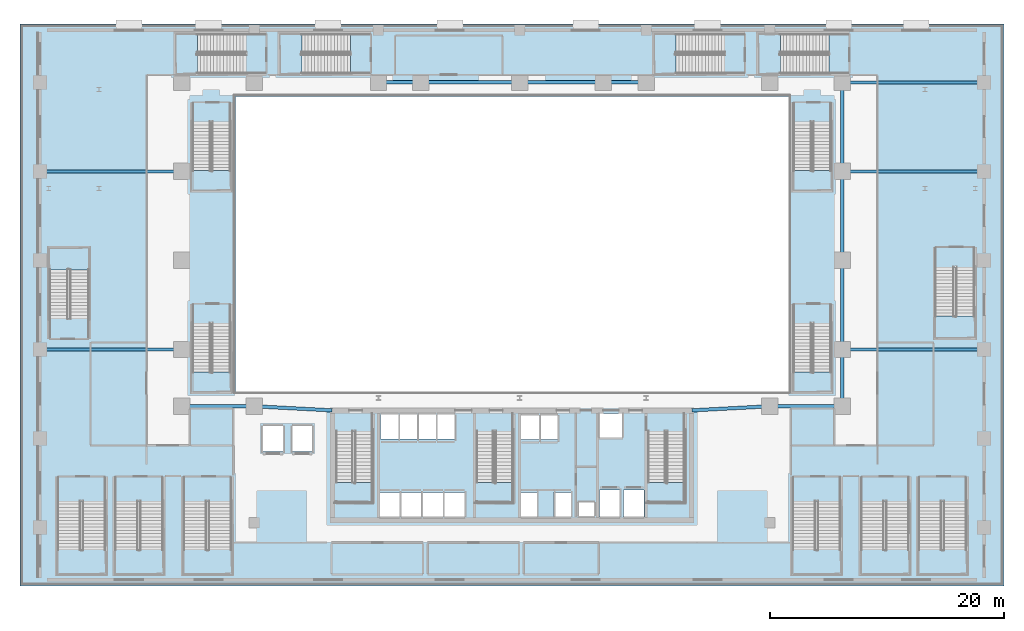
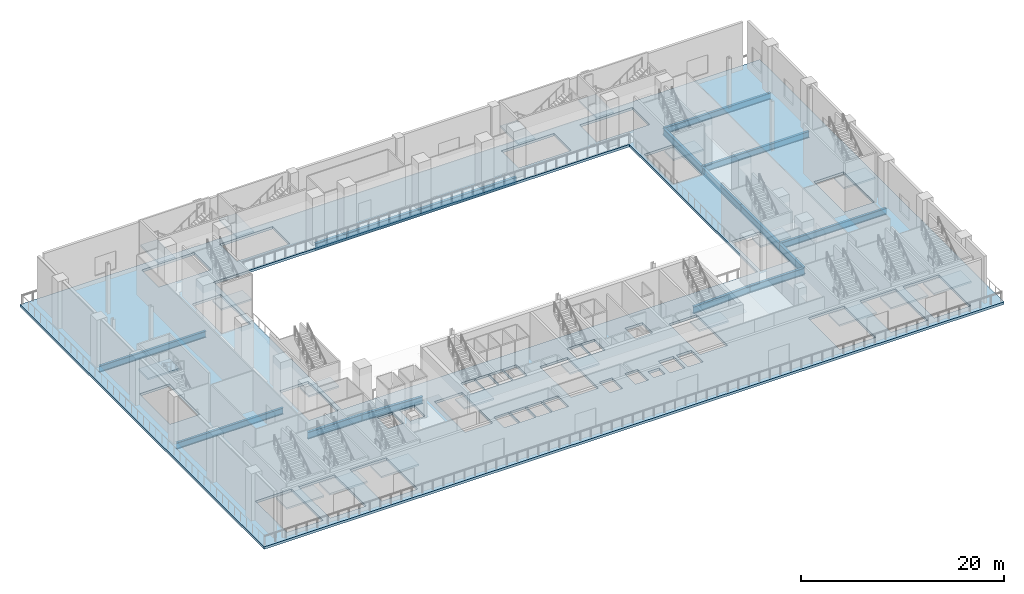
# One storey, part 5 of 29: 20 slabs, 17 beams, 19 elements without a shape of their own.
"""IFC4 building model written with IfcOpenShell, lengths in metres."""

from ifc_helpers import new_model, si_unit, direction, frame, origin, origin_2d, place, context, subcontext, project, spatial, polyline, i_section, outline, extrude, material, layer, layer_set, material_profile, profile_set, type_object, element, aggregate, save


model = new_model("IFC4")

# Units and contexts
model_context = context("Model", 3, precision=1e-05, world=origin(), true_north=direction((0.0, 1.0)))
body_context = subcontext(model_context, "Body", "Model", "MODEL_VIEW")
ifc_project = project(units=[si_unit("LENGTHUNIT", "METRE"), si_unit("AREAUNIT", "SQUARE_METRE"), si_unit("VOLUMEUNIT", "CUBIC_METRE"), si_unit("PLANEANGLEUNIT", "RADIAN"), si_unit("MASSUNIT", "GRAM", prefix="KILO")], contexts=[model_context])

# Site, building, storey
site_placement = place(None, origin())
site = spatial("IfcSite", under=ifc_project, at=site_placement, CompositionType="ELEMENT")
building_placement = place(site_placement, origin())
building = spatial("IfcBuilding", under=site, at=building_placement, Name="Ndaravel Arena Tower", CompositionType="ELEMENT")
storey_placement = place(building_placement, frame((0.0, 0.0, 12.0)))
storey = spatial("IfcBuildingStorey", under=building, at=storey_placement, Name="L02", CompositionType="ELEMENT", Elevation=12.0)

# Beams
ifc_material_1 = material(Name="Steel S355", Category="steel")
ifc_material_profile_1 = material_profile(ifc_material_1, i_section(OverallWidth=0.26806640625, OverallDepth=0.769775390625, WebThickness=0.015625, FlangeThickness=0.025390625, FilletRadius=0.0166015625, at=origin_2d()), Name="UB 762x267x197")
ifc_profile_set_1 = profile_set([ifc_material_profile_1], Name="Steel S355")
beam_type_1 = type_object("IfcBeamType", Name="BM-POD-UB762", PredefinedType="BEAM", material=ifc_profile_set_1)
for number, where, z_axis, x_axis, name in (
    (1, (1.699951171875, 20.199951171875, -0.684814453125), (1.0, 0.0, 0.0), (0.0, 1.0, 0.0), "L02 West Concourse Beam 01"),
    (2, (70.199951171875, 20.199951171875, -0.684814453125), (1.0, 0.0, 0.0), (0.0, 1.0, 0.0), "L02 East Concourse Beam 01"),
    (3, (1.699951171875, 35.39990234375, -0.684814453125), (1.0, 0.0, 0.0), (0.0, 1.0, 0.0), "L02 West Concourse Beam 03"),
    (4, (70.199951171875, 35.39990234375, -0.684814453125), (1.0, 0.0, 0.0), (0.0, 1.0, 0.0), "L02 East Concourse Beam 03"),
    (5, (70.199951171875, 43.0, -0.684814453125), (1.0, 0.0, 0.0), (0.0, 1.0, 0.0), "L02 East Concourse Beam 04"),
):
    element("IfcBeam", number, at=place(storey_placement, frame(where, z_axis=z_axis, x_axis=x_axis)), inside=storey, type_object=beam_type_1, Name=name, PredefinedType="BEAM", context=body_context, shape_type="SweptSolid", body=[
        extrude(i_section(OverallWidth=0.26806640625, OverallDepth=0.769775390625, WebThickness=0.015625, FlangeThickness=0.025390625, FilletRadius=0.0166015625, at=origin_2d()), origin(), (0.0, 0.0, 1.0), 12.10009765625),
    ])
ifc_material_2 = material(Name="Steel S355", Category="steel")
ifc_material_profile_2 = material_profile(ifc_material_2, i_section(OverallWidth=0.293701171875, OverallDepth=0.850830078125, WebThickness=0.01611328125, FlangeThickness=0.02685546875, FilletRadius=0.017822265625, at=origin_2d()), Name="UB 838x292x226")
ifc_profile_set_2 = profile_set([ifc_material_profile_2], Name="Steel S355")
beam_type_2 = type_object("IfcBeamType", Name="BM-POD-UB838", PredefinedType="BEAM", material=ifc_profile_set_2)
beam_1_placement = place(storey_placement, frame((70.199951171875, 15.35009765625, -0.7255859375), z_axis=(0.0, 1.0, 0.0), x_axis=(-1.0, 0.0, 0.0)))
element("IfcBeam", 6, at=beam_1_placement, inside=storey, type_object=beam_type_2, Name="L02 Arena Ring Girder 05", PredefinedType="BEAM", context=body_context, shape_type="SweptSolid", body=[
    extrude(i_section(OverallWidth=0.293701171875, OverallDepth=0.850830078125, WebThickness=0.01611328125, FlangeThickness=0.02685546875, FilletRadius=0.017822265625, at=origin_2d()), origin(), (0.0, 0.0, 1.0), 4.849853515625),
])
beam_2_placement = place(storey_placement, frame((70.199951171875, 20.199951171875, -0.7255859375), z_axis=(0.0, 1.0, 0.0), x_axis=(-1.0, 0.0, 0.0)))
element("IfcBeam", 7, at=beam_2_placement, inside=storey, type_object=beam_type_2, Name="L02 Arena Ring Girder 06", PredefinedType="BEAM", context=body_context, shape_type="SweptSolid", body=[
    extrude(i_section(OverallWidth=0.293701171875, OverallDepth=0.850830078125, WebThickness=0.01611328125, FlangeThickness=0.02685546875, FilletRadius=0.017822265625, at=origin_2d()), origin(), (0.0, 0.0, 1.0), 7.60009765625),
])
beam_3_placement = place(storey_placement, frame((70.199951171875, 27.800048828125, -0.7255859375), z_axis=(0.0, 1.0, 0.0), x_axis=(-1.0, 0.0, 0.0)))
element("IfcBeam", 8, at=beam_3_placement, inside=storey, type_object=beam_type_2, Name="L02 Arena Ring Girder 07", PredefinedType="BEAM", context=body_context, shape_type="SweptSolid", body=[
    extrude(i_section(OverallWidth=0.293701171875, OverallDepth=0.850830078125, WebThickness=0.01611328125, FlangeThickness=0.02685546875, FilletRadius=0.017822265625, at=origin_2d()), origin(), (0.0, 0.0, 1.0), 7.599853515625),
])
beam_4_placement = place(storey_placement, frame((70.199951171875, 35.39990234375, -0.7255859375), z_axis=(0.0, 1.0, 0.0), x_axis=(-1.0, 0.0, 0.0)))
element("IfcBeam", 9, at=beam_4_placement, inside=storey, type_object=beam_type_2, Name="L02 Arena Ring Girder 08", PredefinedType="BEAM", context=body_context, shape_type="SweptSolid", body=[
    extrude(i_section(OverallWidth=0.293701171875, OverallDepth=0.850830078125, WebThickness=0.01611328125, FlangeThickness=0.02685546875, FilletRadius=0.017822265625, at=origin_2d()), origin(), (0.0, 0.0, 1.0), 7.60009765625),
])
beam_5_placement = place(storey_placement, frame((30.60009765625, 43.0, -0.7255859375), z_axis=(1.0, 0.0, 0.0), x_axis=(0.0, 1.0, 0.0)))
element("IfcBeam", 10, at=beam_5_placement, inside=storey, type_object=beam_type_2, Name="L02 Arena Ring Girder 11", PredefinedType="BEAM", context=body_context, shape_type="SweptSolid", body=[
    extrude(i_section(OverallWidth=0.293701171875, OverallDepth=0.850830078125, WebThickness=0.01611328125, FlangeThickness=0.02685546875, FilletRadius=0.017822265625, at=origin_2d()), origin(), (0.0, 0.0, 1.0), 3.599853515625),
])
beam_6_placement = place(storey_placement, frame((34.199951171875, 43.0, -0.7255859375), z_axis=(1.0, 0.0, 0.0), x_axis=(0.0, 1.0, 0.0)))
element("IfcBeam", 11, at=beam_6_placement, inside=storey, type_object=beam_type_2, Name="L02 Arena Ring Girder 12", PredefinedType="BEAM", context=body_context, shape_type="SweptSolid", body=[
    extrude(i_section(OverallWidth=0.293701171875, OverallDepth=0.850830078125, WebThickness=0.01611328125, FlangeThickness=0.02685546875, FilletRadius=0.017822265625, at=origin_2d()), origin(), (0.0, 0.0, 1.0), 8.449951171875),
])
beam_7_placement = place(storey_placement, frame((42.64990234375, 43.0, -0.7255859375), z_axis=(1.0, 0.0, 0.0), x_axis=(0.0, 1.0, 0.0)))
element("IfcBeam", 12, at=beam_7_placement, inside=storey, type_object=beam_type_2, Name="L02 Arena Ring Girder 13", PredefinedType="BEAM", context=body_context, shape_type="SweptSolid", body=[
    extrude(i_section(OverallWidth=0.293701171875, OverallDepth=0.850830078125, WebThickness=0.01611328125, FlangeThickness=0.02685546875, FilletRadius=0.017822265625, at=origin_2d()), origin(), (0.0, 0.0, 1.0), 7.150146484375),
])
beam_8_placement = place(storey_placement, frame((49.800048828125, 43.0, -0.7255859375), z_axis=(1.0, 0.0, 0.0), x_axis=(0.0, 1.0, 0.0)))
element("IfcBeam", 13, at=beam_8_placement, inside=storey, type_object=beam_type_2, Name="L02 Arena Ring Girder 14", PredefinedType="BEAM", context=body_context, shape_type="SweptSolid", body=[
    extrude(i_section(OverallWidth=0.293701171875, OverallDepth=0.850830078125, WebThickness=0.01611328125, FlangeThickness=0.02685546875, FilletRadius=0.017822265625, at=origin_2d()), origin(), (0.0, 0.0, 1.0), 3.64990234375),
])
beam_9_placement = place(storey_placement, frame((13.800048828125, 15.35009765625, -0.7255859375), z_axis=(1.0, 0.0, 0.0), x_axis=(0.0, 1.0, 0.0)))
element("IfcBeam", 14, at=beam_9_placement, inside=storey, type_object=beam_type_2, Name="L02 Arena Ring Girder 17", PredefinedType="BEAM", context=body_context, shape_type="SweptSolid", body=[
    extrude(i_section(OverallWidth=0.293701171875, OverallDepth=0.850830078125, WebThickness=0.01611328125, FlangeThickness=0.02685546875, FilletRadius=0.017822265625, at=origin_2d()), origin(), (0.0, 0.0, 1.0), 6.199951171875),
])
for number, where, z_axis, x_axis, name in (
    (15, (20.0, 15.35009765625, -0.7255859375), (0.99861701899, -0.052574227375, 0.0), (0.052574227375, 0.99861701899, 0.0), "L02 Arena Ring Girder 18"),
    (16, (57.35009765625, 15.0, -0.7255859375), (0.99861701899, 0.052574227375, 0.0), (-0.052574227375, 0.99861701899, 0.0), "L02 Arena Ring Girder 19"),
):
    element("IfcBeam", number, at=place(storey_placement, frame(where, z_axis=z_axis, x_axis=x_axis)), inside=storey, type_object=beam_type_2, Name=name, PredefinedType="BEAM", context=body_context, shape_type="SweptSolid", body=[
        extrude(i_section(OverallWidth=0.293701171875, OverallDepth=0.850830078125, WebThickness=0.01611328125, FlangeThickness=0.02685546875, FilletRadius=0.017822265625, at=origin_2d()), origin(), (0.0, 0.0, 1.0), 6.6591796875),
    ])
beam_10_placement = place(storey_placement, frame((64.0, 15.35009765625, -0.7255859375), z_axis=(1.0, 0.0, 0.0), x_axis=(0.0, 1.0, 0.0)))
element("IfcBeam", 17, at=beam_10_placement, inside=storey, type_object=beam_type_2, Name="L02 Arena Ring Girder 20", PredefinedType="BEAM", context=body_context, shape_type="SweptSolid", body=[
    extrude(i_section(OverallWidth=0.293701171875, OverallDepth=0.850830078125, WebThickness=0.01611328125, FlangeThickness=0.02685546875, FilletRadius=0.017822265625, at=origin_2d()), origin(), (0.0, 0.0, 1.0), 6.199951171875),
])

# Slab
ifc_material_3 = material(Name="Concrete C40/50", Category="concrete")
ifc_layer_1 = layer(ifc_material_3, 0.300048828125)
ifc_layer_set_1 = layer_set([ifc_layer_1], Name="Concrete C40/50")
slab_type_1 = type_object("IfcSlabType", Name="SLAB-POD-300", PredefinedType="FLOOR", material=ifc_layer_set_1)
slab_1_placement = place(storey_placement, frame((0.0, 0.0, -0.300048828125)))
element("IfcSlab", 18, at=slab_1_placement, inside=storey, type_object=slab_type_1, Name="L02 Structural Floor Slab", PredefinedType="FLOOR", context=body_context, shape_type="SweptSolid", body=[
    extrude(outline(polyline([(0.0, 0.0), (84.0, 0.0), (84.0, 48.0), (0.0, 48.0), (0.0, 0.0)]), holes=[polyline([(26.949951171875, 13.215087890625), (26.949951171875, 7.14990234375), (30.090087890625, 7.14990234375), (30.090087890625, 13.215087890625), (26.949951171875, 13.215087890625)]), polyline([(38.949951171875, 13.215087890625), (38.949951171875, 7.14990234375), (42.090087890625, 7.14990234375), (42.090087890625, 13.215087890625), (38.949951171875, 13.215087890625)]), polyline([(53.60009765625, 13.215087890625), (53.60009765625, 7.14990234375), (56.739990234375, 7.14990234375), (56.739990234375, 13.215087890625), (53.60009765625, 13.215087890625)]), polyline([(3.199951171875, 7.235107421875), (3.199951171875, 1.050048828125), (7.300048828125, 1.050048828125), (7.300048828125, 7.235107421875), (3.199951171875, 7.235107421875)]), polyline([(8.10009765625, 7.235107421875), (8.10009765625, 1.050048828125), (12.199951171875, 1.050048828125), (12.199951171875, 7.235107421875), (8.10009765625, 7.235107421875)]), polyline([(13.949951171875, 7.235107421875), (13.949951171875, 1.050048828125), (18.050048828125, 1.050048828125), (18.050048828125, 7.235107421875), (13.949951171875, 7.235107421875)]), polyline([(65.949951171875, 7.235107421875), (65.949951171875, 1.050048828125), (70.050048828125, 1.050048828125), (70.050048828125, 7.235107421875), (65.949951171875, 7.235107421875)]), polyline([(71.800048828125, 7.235107421875), (71.800048828125, 1.050048828125), (75.89990234375, 1.050048828125), (75.89990234375, 7.235107421875), (71.800048828125, 7.235107421875)]), polyline([(76.699951171875, 7.235107421875), (76.699951171875, 1.050048828125), (80.800048828125, 1.050048828125), (80.800048828125, 7.235107421875), (76.699951171875, 7.235107421875)]), polyline([(5.8798828125, 22.85498046875), (5.8798828125, 28.85009765625), (2.5, 28.85009765625), (2.5, 22.85498046875), (5.8798828125, 22.85498046875)]), polyline([(19.294921875, 47.139892578125), (13.300048828125, 47.139892578125), (13.300048828125, 43.760009765625), (19.294921875, 43.760009765625), (19.294921875, 47.139892578125)]), polyline([(28.195068359375, 47.139892578125), (22.199951171875, 47.139892578125), (22.199951171875, 43.760009765625), (28.195068359375, 43.760009765625), (28.195068359375, 47.139892578125)]), polyline([(60.14501953125, 47.139892578125), (54.14990234375, 47.139892578125), (54.14990234375, 43.760009765625), (60.14501953125, 43.760009765625), (60.14501953125, 47.139892578125)]), polyline([(69.044921875, 47.139892578125), (63.050048828125, 47.139892578125), (63.050048828125, 43.760009765625), (69.044921875, 43.760009765625), (69.044921875, 47.139892578125)]), polyline([(78.1201171875, 27.195068359375), (78.1201171875, 21.199951171875), (81.5, 21.199951171875), (81.5, 27.195068359375), (78.1201171875, 27.195068359375)]), polyline([(14.699951171875, 22.405029296875), (14.699951171875, 16.60009765625), (17.9599609375, 16.60009765625), (17.9599609375, 22.405029296875), (14.699951171875, 22.405029296875)]), polyline([(14.699951171875, 39.60498046875), (14.699951171875, 33.800048828125), (17.9599609375, 33.800048828125), (17.9599609375, 39.60498046875), (14.699951171875, 39.60498046875)]), polyline([(66.0, 22.405029296875), (66.0, 16.60009765625), (69.260009765625, 16.60009765625), (69.260009765625, 22.405029296875), (66.0, 22.405029296875)]), polyline([(66.0, 39.60498046875), (66.0, 33.800048828125), (69.260009765625, 33.800048828125), (69.260009765625, 39.60498046875), (66.0, 39.60498046875)]), polyline([(30.68505859375, 5.909912109375), (32.4150390625, 5.909912109375), (32.4150390625, 7.989990234375), (30.68505859375, 7.989990234375), (30.68505859375, 5.909912109375)]), polyline([(32.534912109375, 5.909912109375), (34.264892578125, 5.909912109375), (34.264892578125, 7.989990234375), (32.534912109375, 7.989990234375), (32.534912109375, 5.909912109375)]), polyline([(34.385009765625, 5.909912109375), (36.114990234375, 5.909912109375), (36.114990234375, 7.989990234375), (34.385009765625, 7.989990234375), (34.385009765625, 5.909912109375)]), polyline([(36.235107421875, 5.909912109375), (37.965087890625, 5.909912109375), (37.965087890625, 7.989990234375), (36.235107421875, 7.989990234375), (36.235107421875, 5.909912109375)]), polyline([(30.784912109375, 12.56005859375), (32.31494140625, 12.56005859375), (32.31494140625, 14.639892578125), (30.784912109375, 14.639892578125), (30.784912109375, 12.56005859375)]), polyline([(32.385009765625, 12.56005859375), (33.9150390625, 12.56005859375), (33.9150390625, 14.639892578125), (32.385009765625, 14.639892578125), (32.385009765625, 12.56005859375)]), polyline([(33.985107421875, 12.56005859375), (35.514892578125, 12.56005859375), (35.514892578125, 14.639892578125), (33.985107421875, 14.639892578125), (33.985107421875, 12.56005859375)]), polyline([(35.5849609375, 12.56005859375), (37.114990234375, 12.56005859375), (37.114990234375, 14.639892578125), (35.5849609375, 14.639892578125), (35.5849609375, 12.56005859375)]), polyline([(42.659912109375, 5.909912109375), (44.139892578125, 5.909912109375), (44.139892578125, 7.989990234375), (42.659912109375, 7.989990234375), (42.659912109375, 5.909912109375)]), polyline([(45.56005859375, 5.909912109375), (47.0400390625, 5.909912109375), (47.0400390625, 7.989990234375), (45.56005859375, 7.989990234375), (45.56005859375, 5.909912109375)]), polyline([(42.784912109375, 12.510009765625), (44.31494140625, 12.510009765625), (44.31494140625, 14.590087890625), (42.784912109375, 14.590087890625), (42.784912109375, 12.510009765625)]), polyline([(44.385009765625, 12.510009765625), (45.9150390625, 12.510009765625), (45.9150390625, 14.590087890625), (44.385009765625, 14.590087890625), (44.385009765625, 12.510009765625)]), polyline([(49.485107421875, 5.909912109375), (51.215087890625, 5.909912109375), (51.215087890625, 8.18994140625), (49.485107421875, 8.18994140625), (49.485107421875, 5.909912109375)]), polyline([(51.534912109375, 5.909912109375), (53.264892578125, 5.909912109375), (53.264892578125, 8.18994140625), (51.534912109375, 8.18994140625), (51.534912109375, 5.909912109375)]), polyline([(49.4599609375, 12.68505859375), (51.43994140625, 12.68505859375), (51.43994140625, 14.715087890625), (49.4599609375, 14.715087890625), (49.4599609375, 12.68505859375)]), polyline([(20.735107421875, 11.510009765625), (22.465087890625, 11.510009765625), (22.465087890625, 13.68994140625), (20.735107421875, 13.68994140625), (20.735107421875, 11.510009765625)]), polyline([(23.235107421875, 11.510009765625), (24.965087890625, 11.510009765625), (24.965087890625, 13.68994140625), (23.235107421875, 13.68994140625), (23.235107421875, 11.510009765625)]), polyline([(47.699951171875, 6.0), (49.0, 6.0), (49.0, 7.139892578125), (47.699951171875, 7.139892578125), (47.699951171875, 6.0)]), polyline([(18.39990234375, 16.60009765625), (65.60009765625, 16.60009765625), (65.60009765625, 41.800048828125), (18.39990234375, 41.800048828125), (18.39990234375, 16.60009765625)])]), origin(), (0.0, 0.0, 1.0), 0.300048828125),
])

# Stair, slab
ifc_material_4 = material(Name="Concrete C40/50", Category="concrete")
stair_type_1 = type_object("IfcStairType", Name="STAIR-CORE-HT", PredefinedType="HALF_TURN_STAIR", material=ifc_material_4)
stair_1_placement = place(storey_placement, origin())
stair_1 = element("IfcStair", 19, at=stair_1_placement, inside=storey, type_object=stair_type_1, Name="L02 ST-1", PredefinedType="HALF_TURN_STAIR")
ifc_material_5 = material(Name="Concrete C40/50", Category="concrete")
ifc_layer_2 = layer(ifc_material_5, 0.199951171875)
ifc_layer_set_2 = layer_set([ifc_layer_2], Name="Concrete C40/50")
slab_type_2 = type_object("IfcSlabType", Name="SLAB-STAIR-LANDING", PredefinedType="LANDING", material=ifc_layer_set_2)
slab_2_placement = place(storey_placement, frame((0.0, 0.0, 2.800048828125)))
slab_2 = element("IfcSlab", 20, at=slab_2_placement, type_object=slab_type_2, Name="ST-1 landing 1", PredefinedType="LANDING", context=body_context, shape_type="SweptSolid", body=[
    extrude(outline(polyline([(26.81005859375, 8.860107421875), (26.81005859375, 7.070068359375), (30.169921875, 7.070068359375), (30.169921875, 8.860107421875), (26.81005859375, 8.860107421875)])), origin(), (0.0, 0.0, 1.0), 0.199951171875),
])
aggregate(stair_1, [slab_2])

stair_2_placement = place(storey_placement, origin())
stair_2 = element("IfcStair", 21, at=stair_2_placement, inside=storey, type_object=stair_type_1, Name="L02 ST-2", PredefinedType="HALF_TURN_STAIR")
slab_3_placement = place(storey_placement, frame((0.0, 0.0, 2.800048828125)))
slab_3 = element("IfcSlab", 22, at=slab_3_placement, type_object=slab_type_2, Name="ST-2 landing 1", PredefinedType="LANDING", context=body_context, shape_type="SweptSolid", body=[
    extrude(outline(polyline([(38.81005859375, 8.860107421875), (38.81005859375, 7.070068359375), (42.169921875, 7.070068359375), (42.169921875, 8.860107421875), (38.81005859375, 8.860107421875)])), origin(), (0.0, 0.0, 1.0), 0.199951171875),
])
aggregate(stair_2, [slab_3])

stair_3_placement = place(storey_placement, origin())
stair_3 = element("IfcStair", 23, at=stair_3_placement, inside=storey, type_object=stair_type_1, Name="L02 ST-3", PredefinedType="HALF_TURN_STAIR")
slab_4_placement = place(storey_placement, frame((0.0, 0.0, 2.800048828125)))
slab_4 = element("IfcSlab", 24, at=slab_4_placement, type_object=slab_type_2, Name="ST-3 landing 1", PredefinedType="LANDING", context=body_context, shape_type="SweptSolid", body=[
    extrude(outline(polyline([(53.4599609375, 8.860107421875), (53.4599609375, 7.070068359375), (56.820068359375, 7.070068359375), (56.820068359375, 8.860107421875), (53.4599609375, 8.860107421875)])), origin(), (0.0, 0.0, 1.0), 0.199951171875),
])
aggregate(stair_3, [slab_4])

ifc_material_6 = material(Name="Concrete C40/50", Category="concrete")
stair_type_2 = type_object("IfcStairType", Name="STAIR-ARENA-HT", PredefinedType="HALF_TURN_STAIR", material=ifc_material_6)
stair_4_placement = place(storey_placement, origin())
stair_4 = element("IfcStair", 25, at=stair_4_placement, inside=storey, type_object=stair_type_2, Name="L02 ST-A01", PredefinedType="HALF_TURN_STAIR")
slab_5_placement = place(storey_placement, frame((0.0, 0.0, 2.800048828125)))
slab_5 = element("IfcSlab", 26, at=slab_5_placement, type_object=slab_type_2, Name="ST-A01 landing 1", PredefinedType="LANDING", context=body_context, shape_type="SweptSolid", body=[
    extrude(outline(polyline([(3.1201171875, 3.10498046875), (3.1201171875, 0.969970703125), (7.3798828125, 0.969970703125), (7.3798828125, 3.10498046875), (3.1201171875, 3.10498046875)])), origin(), (0.0, 0.0, 1.0), 0.199951171875),
])
aggregate(stair_4, [slab_5])

stair_5_placement = place(storey_placement, origin())
stair_5 = element("IfcStair", 27, at=stair_5_placement, inside=storey, type_object=stair_type_2, Name="L02 ST-A02", PredefinedType="HALF_TURN_STAIR")
slab_6_placement = place(storey_placement, frame((0.0, 0.0, 2.800048828125)))
slab_6 = element("IfcSlab", 28, at=slab_6_placement, type_object=slab_type_2, Name="ST-A02 landing 1", PredefinedType="LANDING", context=body_context, shape_type="SweptSolid", body=[
    extrude(outline(polyline([(8.02001953125, 3.10498046875), (8.02001953125, 0.969970703125), (12.280029296875, 0.969970703125), (12.280029296875, 3.10498046875), (8.02001953125, 3.10498046875)])), origin(), (0.0, 0.0, 1.0), 0.199951171875),
])
aggregate(stair_5, [slab_6])

stair_6_placement = place(storey_placement, origin())
stair_6 = element("IfcStair", 29, at=stair_6_placement, inside=storey, type_object=stair_type_2, Name="L02 ST-A03", PredefinedType="HALF_TURN_STAIR")
slab_7_placement = place(storey_placement, frame((0.0, 0.0, 2.800048828125)))
slab_7 = element("IfcSlab", 30, at=slab_7_placement, type_object=slab_type_2, Name="ST-A03 landing 1", PredefinedType="LANDING", context=body_context, shape_type="SweptSolid", body=[
    extrude(outline(polyline([(13.8701171875, 3.10498046875), (13.8701171875, 0.969970703125), (18.1298828125, 0.969970703125), (18.1298828125, 3.10498046875), (13.8701171875, 3.10498046875)])), origin(), (0.0, 0.0, 1.0), 0.199951171875),
])
aggregate(stair_6, [slab_7])

stair_7_placement = place(storey_placement, origin())
stair_7 = element("IfcStair", 31, at=stair_7_placement, inside=storey, type_object=stair_type_2, Name="L02 ST-A04", PredefinedType="HALF_TURN_STAIR")
slab_8_placement = place(storey_placement, frame((0.0, 0.0, 2.800048828125)))
slab_8 = element("IfcSlab", 32, at=slab_8_placement, type_object=slab_type_2, Name="ST-A04 landing 1", PredefinedType="LANDING", context=body_context, shape_type="SweptSolid", body=[
    extrude(outline(polyline([(65.8701171875, 3.10498046875), (65.8701171875, 0.969970703125), (70.1298828125, 0.969970703125), (70.1298828125, 3.10498046875), (65.8701171875, 3.10498046875)])), origin(), (0.0, 0.0, 1.0), 0.199951171875),
])
aggregate(stair_7, [slab_8])

stair_8_placement = place(storey_placement, origin())
stair_8 = element("IfcStair", 33, at=stair_8_placement, inside=storey, type_object=stair_type_2, Name="L02 ST-A05", PredefinedType="HALF_TURN_STAIR")
slab_9_placement = place(storey_placement, frame((0.0, 0.0, 2.800048828125)))
slab_9 = element("IfcSlab", 34, at=slab_9_placement, type_object=slab_type_2, Name="ST-A05 landing 1", PredefinedType="LANDING", context=body_context, shape_type="SweptSolid", body=[
    extrude(outline(polyline([(71.719970703125, 3.10498046875), (71.719970703125, 0.969970703125), (75.97998046875, 0.969970703125), (75.97998046875, 3.10498046875), (71.719970703125, 3.10498046875)])), origin(), (0.0, 0.0, 1.0), 0.199951171875),
])
aggregate(stair_8, [slab_9])

stair_9_placement = place(storey_placement, origin())
stair_9 = element("IfcStair", 35, at=stair_9_placement, inside=storey, type_object=stair_type_2, Name="L02 ST-A06", PredefinedType="HALF_TURN_STAIR")
slab_10_placement = place(storey_placement, frame((0.0, 0.0, 2.800048828125)))
slab_10 = element("IfcSlab", 36, at=slab_10_placement, type_object=slab_type_2, Name="ST-A06 landing 1", PredefinedType="LANDING", context=body_context, shape_type="SweptSolid", body=[
    extrude(outline(polyline([(76.6201171875, 3.10498046875), (76.6201171875, 0.969970703125), (80.8798828125, 0.969970703125), (80.8798828125, 3.10498046875), (76.6201171875, 3.10498046875)])), origin(), (0.0, 0.0, 1.0), 0.199951171875),
])
aggregate(stair_9, [slab_10])

ifc_material_7 = material(Name="Concrete C40/50", Category="concrete")
stair_type_3 = type_object("IfcStairType", Name="STAIR-POD-QT", PredefinedType="QUARTER_TURN_STAIR", material=ifc_material_7)
stair_10_placement = place(storey_placement, origin())
stair_10 = element("IfcStair", 37, at=stair_10_placement, inside=storey, type_object=stair_type_3, Name="L02 ST-A07", PredefinedType="QUARTER_TURN_STAIR")
slab_11_placement = place(storey_placement, frame((0.0, 0.0, 2.800048828125)))
slab_11 = element("IfcSlab", 38, at=slab_11_placement, type_object=slab_type_2, Name="ST-A07 landing 1", PredefinedType="LANDING", context=body_context, shape_type="SweptSolid", body=[
    extrude(outline(polyline([(5.9599609375, 26.985107421875), (5.9599609375, 28.929931640625), (2.419921875, 28.929931640625), (2.419921875, 26.985107421875), (5.9599609375, 26.985107421875)])), origin(), (0.0, 0.0, 1.0), 0.199951171875),
])
aggregate(stair_10, [slab_11])

stair_11_placement = place(storey_placement, origin())
stair_11 = element("IfcStair", 39, at=stair_11_placement, inside=storey, type_object=stair_type_3, Name="L02 ST-A08", PredefinedType="QUARTER_TURN_STAIR")
slab_12_placement = place(storey_placement, frame((0.0, 0.0, 2.800048828125)))
slab_12 = element("IfcSlab", 40, at=slab_12_placement, type_object=slab_type_2, Name="ST-A08 landing 1", PredefinedType="LANDING", context=body_context, shape_type="SweptSolid", body=[
    extrude(outline(polyline([(15.1650390625, 47.219970703125), (13.219970703125, 47.219970703125), (13.219970703125, 43.679931640625), (15.1650390625, 43.679931640625), (15.1650390625, 47.219970703125)])), origin(), (0.0, 0.0, 1.0), 0.199951171875),
])
aggregate(stair_11, [slab_12])

stair_12_placement = place(storey_placement, origin())
stair_12 = element("IfcStair", 41, at=stair_12_placement, inside=storey, type_object=stair_type_3, Name="L02 ST-A09", PredefinedType="QUARTER_TURN_STAIR")
slab_13_placement = place(storey_placement, frame((0.0, 0.0, 2.800048828125)))
slab_13 = element("IfcSlab", 42, at=slab_13_placement, type_object=slab_type_2, Name="ST-A09 landing 1", PredefinedType="LANDING", context=body_context, shape_type="SweptSolid", body=[
    extrude(outline(polyline([(24.06494140625, 47.219970703125), (22.1201171875, 47.219970703125), (22.1201171875, 43.679931640625), (24.06494140625, 43.679931640625), (24.06494140625, 47.219970703125)])), origin(), (0.0, 0.0, 1.0), 0.199951171875),
])
aggregate(stair_12, [slab_13])

stair_13_placement = place(storey_placement, origin())
stair_13 = element("IfcStair", 43, at=stair_13_placement, inside=storey, type_object=stair_type_3, Name="L02 ST-A10", PredefinedType="QUARTER_TURN_STAIR")
slab_14_placement = place(storey_placement, frame((0.0, 0.0, 2.800048828125)))
slab_14 = element("IfcSlab", 44, at=slab_14_placement, type_object=slab_type_2, Name="ST-A10 landing 1", PredefinedType="LANDING", context=body_context, shape_type="SweptSolid", body=[
    extrude(outline(polyline([(56.014892578125, 47.219970703125), (54.070068359375, 47.219970703125), (54.070068359375, 43.679931640625), (56.014892578125, 43.679931640625), (56.014892578125, 47.219970703125)])), origin(), (0.0, 0.0, 1.0), 0.199951171875),
])
aggregate(stair_13, [slab_14])

stair_14_placement = place(storey_placement, origin())
stair_14 = element("IfcStair", 45, at=stair_14_placement, inside=storey, type_object=stair_type_3, Name="L02 ST-A11", PredefinedType="QUARTER_TURN_STAIR")
slab_15_placement = place(storey_placement, frame((0.0, 0.0, 2.800048828125)))
slab_15 = element("IfcSlab", 46, at=slab_15_placement, type_object=slab_type_2, Name="ST-A11 landing 1", PredefinedType="LANDING", context=body_context, shape_type="SweptSolid", body=[
    extrude(outline(polyline([(64.9150390625, 47.219970703125), (62.969970703125, 47.219970703125), (62.969970703125, 43.679931640625), (64.9150390625, 43.679931640625), (64.9150390625, 47.219970703125)])), origin(), (0.0, 0.0, 1.0), 0.199951171875),
])
aggregate(stair_14, [slab_15])

stair_15_placement = place(storey_placement, origin())
stair_15 = element("IfcStair", 47, at=stair_15_placement, inside=storey, type_object=stair_type_3, Name="L02 ST-A12", PredefinedType="QUARTER_TURN_STAIR")
slab_16_placement = place(storey_placement, frame((0.0, 0.0, 2.800048828125)))
slab_16 = element("IfcSlab", 48, at=slab_16_placement, type_object=slab_type_2, Name="ST-A12 landing 1", PredefinedType="LANDING", context=body_context, shape_type="SweptSolid", body=[
    extrude(outline(polyline([(78.0400390625, 23.06494140625), (78.0400390625, 21.1201171875), (81.580078125, 21.1201171875), (81.580078125, 23.06494140625), (78.0400390625, 23.06494140625)])), origin(), (0.0, 0.0, 1.0), 0.199951171875),
])
aggregate(stair_15, [slab_16])

ifc_material_8 = material(Name="Concrete C40/50", Category="concrete")
stair_type_4 = type_object("IfcStairType", Name="STAIR-VOM-STR", PredefinedType="STRAIGHT_RUN_STAIR", material=ifc_material_8)
stair_16_placement = place(storey_placement, origin())
stair_16 = element("IfcStair", 49, at=stair_16_placement, inside=storey, type_object=stair_type_4, Name="L02 ST-VOM-1", PredefinedType="STRAIGHT_RUN_STAIR")
slab_17_placement = place(storey_placement, frame((0.0, 0.0, 2.800048828125)))
slab_17 = element("IfcSlab", 50, at=slab_17_placement, type_object=slab_type_2, Name="ST-VOM-1 landing 1", PredefinedType="LANDING", context=body_context, shape_type="SweptSolid", body=[
    extrude(outline(polyline([(14.6201171875, 18.27490234375), (14.6201171875, 16.52001953125), (18.0400390625, 16.52001953125), (18.0400390625, 18.27490234375), (14.6201171875, 18.27490234375)])), origin(), (0.0, 0.0, 1.0), 0.199951171875),
])
aggregate(stair_16, [slab_17])

stair_17_placement = place(storey_placement, origin())
stair_17 = element("IfcStair", 51, at=stair_17_placement, inside=storey, type_object=stair_type_4, Name="L02 ST-VOM-2", PredefinedType="STRAIGHT_RUN_STAIR")
slab_18_placement = place(storey_placement, frame((0.0, 0.0, 2.800048828125)))
slab_18 = element("IfcSlab", 52, at=slab_18_placement, type_object=slab_type_2, Name="ST-VOM-2 landing 1", PredefinedType="LANDING", context=body_context, shape_type="SweptSolid", body=[
    extrude(outline(polyline([(14.6201171875, 35.47509765625), (14.6201171875, 33.719970703125), (18.0400390625, 33.719970703125), (18.0400390625, 35.47509765625), (14.6201171875, 35.47509765625)])), origin(), (0.0, 0.0, 1.0), 0.199951171875),
])
aggregate(stair_17, [slab_18])

stair_18_placement = place(storey_placement, origin())
stair_18 = element("IfcStair", 53, at=stair_18_placement, inside=storey, type_object=stair_type_4, Name="L02 ST-VOM-3", PredefinedType="STRAIGHT_RUN_STAIR")
slab_19_placement = place(storey_placement, frame((0.0, 0.0, 2.800048828125)))
slab_19 = element("IfcSlab", 54, at=slab_19_placement, type_object=slab_type_2, Name="ST-VOM-3 landing 1", PredefinedType="LANDING", context=body_context, shape_type="SweptSolid", body=[
    extrude(outline(polyline([(65.919921875, 18.27490234375), (65.919921875, 16.52001953125), (69.340087890625, 16.52001953125), (69.340087890625, 18.27490234375), (65.919921875, 18.27490234375)])), origin(), (0.0, 0.0, 1.0), 0.199951171875),
])
aggregate(stair_18, [slab_19])

stair_19_placement = place(storey_placement, origin())
stair_19 = element("IfcStair", 55, at=stair_19_placement, inside=storey, type_object=stair_type_4, Name="L02 ST-VOM-4", PredefinedType="STRAIGHT_RUN_STAIR")
slab_20_placement = place(storey_placement, frame((0.0, 0.0, 2.800048828125)))
slab_20 = element("IfcSlab", 56, at=slab_20_placement, type_object=slab_type_2, Name="ST-VOM-4 landing 1", PredefinedType="LANDING", context=body_context, shape_type="SweptSolid", body=[
    extrude(outline(polyline([(65.919921875, 35.47509765625), (65.919921875, 33.719970703125), (69.340087890625, 33.719970703125), (69.340087890625, 35.47509765625), (65.919921875, 35.47509765625)])), origin(), (0.0, 0.0, 1.0), 0.199951171875),
])
aggregate(stair_19, [slab_20])

save(model, "model.ifc")
